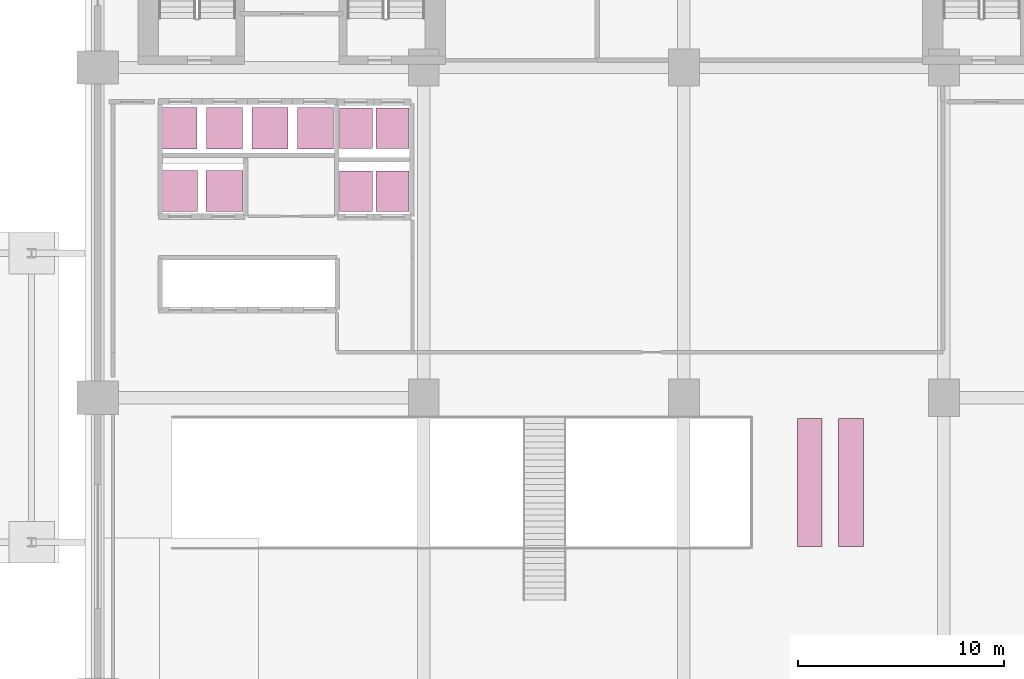
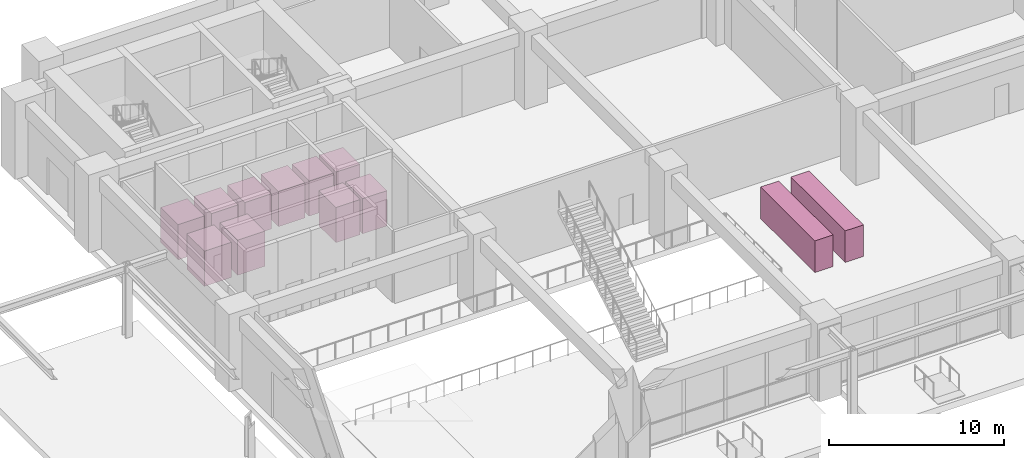
# One storey, part 14 of 14: 12 transport elements.
"""IFC4 building model written with IfcOpenShell, lengths in metres."""

from ifc_helpers import new_model, si_unit, direction, frame, origin, origin_2d, place, context, subcontext, project, spatial, rectangle, extrude, material, type_object, element, save


model = new_model("IFC4")

# Units and contexts
model_context = context("Model", 3, precision=1e-05, world=origin(), true_north=direction((0.0, 1.0)))
body_context = subcontext(model_context, "Body", "Model", "MODEL_VIEW")
ifc_project = project(units=[si_unit("LENGTHUNIT", "METRE"), si_unit("AREAUNIT", "SQUARE_METRE"), si_unit("VOLUMEUNIT", "CUBIC_METRE"), si_unit("PLANEANGLEUNIT", "RADIAN"), si_unit("MASSUNIT", "GRAM", prefix="KILO")], contexts=[model_context])

# Site, building, storey
site_placement = place(None, origin())
site = spatial("IfcSite", under=ifc_project, at=site_placement, CompositionType="ELEMENT")
building_placement = place(site_placement, origin())
building = spatial("IfcBuilding", under=site, at=building_placement, Name="Sulina Concourse Tower", CompositionType="ELEMENT")
storey_placement = place(building_placement, origin())
storey = spatial("IfcBuildingStorey", under=building, at=storey_placement, Name="L00", CompositionType="ELEMENT", Elevation=0.0)

# Transport elements
ifc_material_1 = material(Name="Stainless steel lift car", Category="steel")
transport_element_type_1 = type_object("IfcTransportElementType", Name="High-Rise Double-Deck Gearless Lift Car", PredefinedType="ELEVATOR", material=ifc_material_1)
for number, where, z_axis, x_axis, name in (
    (1, (4.550048828125, 31.050048828125, 0.0), (0.0, 0.0, 1.0), (1.0, 0.0, 0.0), "Elevator LP-09"),
    (2, (6.75, 31.050048828125, 0.0), (0.0, 0.0, 1.0), (1.0, 0.0, 0.0), "Elevator LP-10"),
    (3, (8.949951171875, 31.050048828125, 0.0), (0.0, 0.0, 1.0), (1.0, 0.0, 0.0), "Elevator LP-11"),
    (4, (11.14990234375, 31.050048828125, 0.0), (0.0, 0.0, 1.0), (1.0, 0.0, 0.0), "Elevator LP-12"),
):
    element("IfcTransportElement", number, at=place(storey_placement, frame(where, z_axis=z_axis, x_axis=x_axis)), inside=storey, type_object=transport_element_type_1, Name=name, PredefinedType="ELEVATOR", context=body_context, shape_type="SweptSolid", body=[
        extrude(rectangle(XDim=1.75, YDim=2.0, at=origin_2d()), origin(), (0.0, 0.0, 1.0), 2.449951171875),
    ])
ifc_material_2 = material(Name="Stainless steel lift car", Category="steel")
transport_element_type_2 = type_object("IfcTransportElementType", Name="Mid-Rise Gearless Passenger Lift Car", PredefinedType="ELEVATOR", material=ifc_material_2)
for number, where, z_axis, x_axis, name in (
    (5, (13.1201171875, 28.0, 0.0), (0.0, 0.0, 1.0), (1.0, 0.0, 0.0), "Elevator LP-05"),
    (6, (14.8798828125, 28.0, 0.0), (0.0, 0.0, 1.0), (1.0, 0.0, 0.0), "Elevator LP-06"),
    (7, (13.1201171875, 31.050048828125, 0.0), (0.0, 0.0, 1.0), (1.0, 0.0, 0.0), "Elevator LP-07"),
    (8, (14.8798828125, 31.050048828125, 0.0), (0.0, 0.0, 1.0), (1.0, 0.0, 0.0), "Elevator LP-08"),
):
    element("IfcTransportElement", number, at=place(storey_placement, frame(where, z_axis=z_axis, x_axis=x_axis)), inside=storey, type_object=transport_element_type_2, Name=name, PredefinedType="ELEVATOR", context=body_context, shape_type="SweptSolid", body=[
        extrude(rectangle(XDim=1.60009765625, YDim=1.949951171875, at=origin_2d()), origin(), (0.0, 0.0, 1.0), 2.449951171875),
    ])
ifc_material_3 = material(Name="Stainless steel lift car", Category="steel")
transport_element_type_3 = type_object("IfcTransportElementType", Name="Observation Express Shuttle Lift Car", PredefinedType="ELEVATOR", material=ifc_material_3)
for number, where, z_axis, x_axis, name in (
    (9, (4.550048828125, 28.02001953125, 0.0), (0.0, 0.0, 1.0), (1.0, 0.0, 0.0), "Elevator EXP-1"),
    (10, (6.75, 28.02001953125, 0.0), (0.0, 0.0, 1.0), (1.0, 0.0, 0.0), "Elevator EXP-2"),
):
    element("IfcTransportElement", number, at=place(storey_placement, frame(where, z_axis=z_axis, x_axis=x_axis)), inside=storey, type_object=transport_element_type_3, Name=name, PredefinedType="ELEVATOR", context=body_context, shape_type="SweptSolid", body=[
        extrude(rectangle(XDim=1.800048828125, YDim=2.0, at=origin_2d()), origin(), (0.0, 0.0, 1.0), 2.449951171875),
    ])
ifc_material_4 = material(Name="Stainless steel escalator", Category="steel")
transport_element_type_4 = type_object("IfcTransportElementType", Name="Station Concourse Heavy-Duty Transit Escalator", PredefinedType="ESCALATOR", material=ifc_material_4)
for number, where, z_axis, x_axis, name in (
    (11, (35.10009765625, 13.89990234375, 0.0), (0.0, 0.0, 1.0), (1.0, 0.0, 0.0), "L00 station concourse escalator 01"),
    (12, (37.10009765625, 13.89990234375, 0.0), (0.0, 0.0, 1.0), (1.0, 0.0, 0.0), "L00 station concourse escalator 02"),
):
    element("IfcTransportElement", number, at=place(storey_placement, frame(where, z_axis=z_axis, x_axis=x_axis)), inside=storey, type_object=transport_element_type_4, Name=name, PredefinedType="ESCALATOR", context=body_context, shape_type="SweptSolid", body=[
        extrude(rectangle(XDim=1.199951171875, YDim=6.199951171875, at=origin_2d()), origin(), (0.0, 0.0, 1.0), 2.199951171875),
    ])

save(model, "model.ifc")
